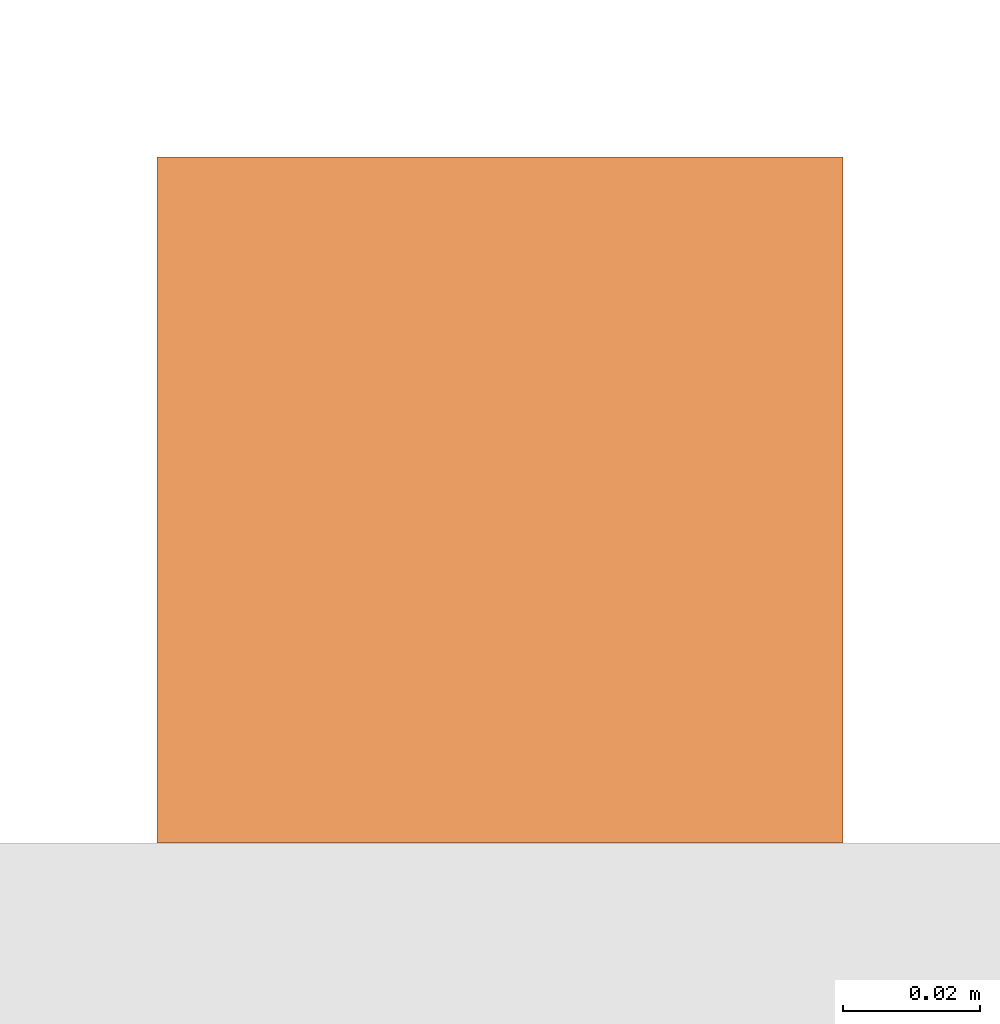
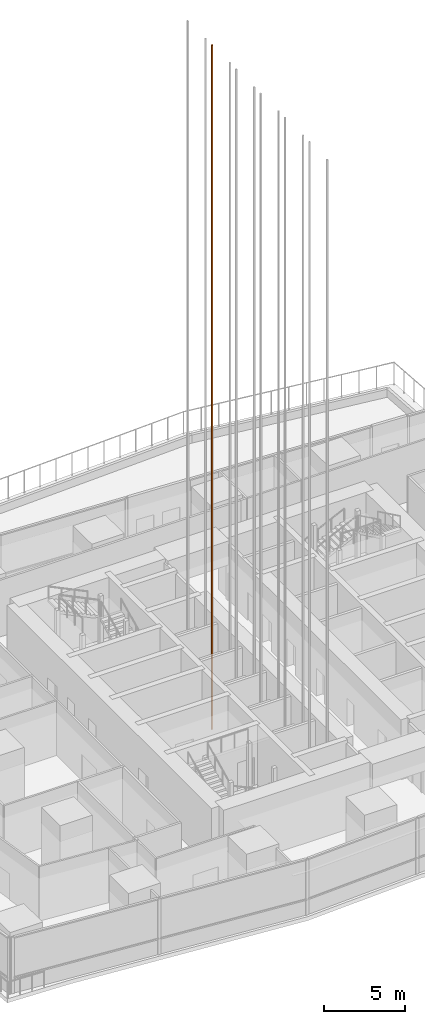
# One storey, part 37 of 39: 1 proxy.
"""IFC4 building model written with IfcOpenShell, lengths in metres."""

from ifc_helpers import new_model, si_unit, direction, frame, origin, origin_2d, place, context, subcontext, project, spatial, rectangle, extrude, material, type_object, element, save


model = new_model("IFC4")

# Units and contexts
model_context = context("Model", 3, precision=1e-05, world=origin(), true_north=direction((0.0, 1.0)))
body_context = subcontext(model_context, "Body", "Model", "MODEL_VIEW")
ifc_project = project(units=[si_unit("LENGTHUNIT", "METRE"), si_unit("AREAUNIT", "SQUARE_METRE"), si_unit("VOLUMEUNIT", "CUBIC_METRE"), si_unit("PLANEANGLEUNIT", "RADIAN"), si_unit("MASSUNIT", "GRAM", prefix="KILO")], contexts=[model_context])

# Site, building, storey
site_placement = place(None, origin())
site = spatial("IfcSite", under=ifc_project, at=site_placement, CompositionType="ELEMENT")
building_placement = place(site_placement, origin())
building = spatial("IfcBuilding", under=site, at=building_placement, Name="Rekha Terrace Tower", CompositionType="ELEMENT")
storey_placement = place(building_placement, frame((0.0, 0.0, 245.60009765625)))
storey = spatial("IfcBuildingStorey", under=building, at=storey_placement, Name="L62", CompositionType="ELEMENT", Elevation=245.60009765625)

# Proxy
ifc_material = material(Name="Steel guide rail", Category="steel")
building_element_proxy_type = type_object("IfcBuildingElementProxyType", Name="LR1 100 lift guide rail", PredefinedType="ELEMENT", material=ifc_material)
proxy_placement = place(storey_placement, frame((34.5, 38.0, -3.30029296875), z_axis=(0.0, 0.0, 1.0), x_axis=(1.0, 0.0, 0.0)))
element("IfcBuildingElementProxy", 1, at=proxy_placement, inside=storey, type_object=building_element_proxy_type, Name="Lift D5 guide rail 2", PredefinedType="ELEMENT", context=body_context, shape_type="SweptSolid", body=[
    extrude(rectangle(XDim=0.10009765625, YDim=0.10009765625, at=origin_2d()), origin(), (0.0, 0.0, 1.0), 51.449951171875),
])

save(model, "model.ifc")
